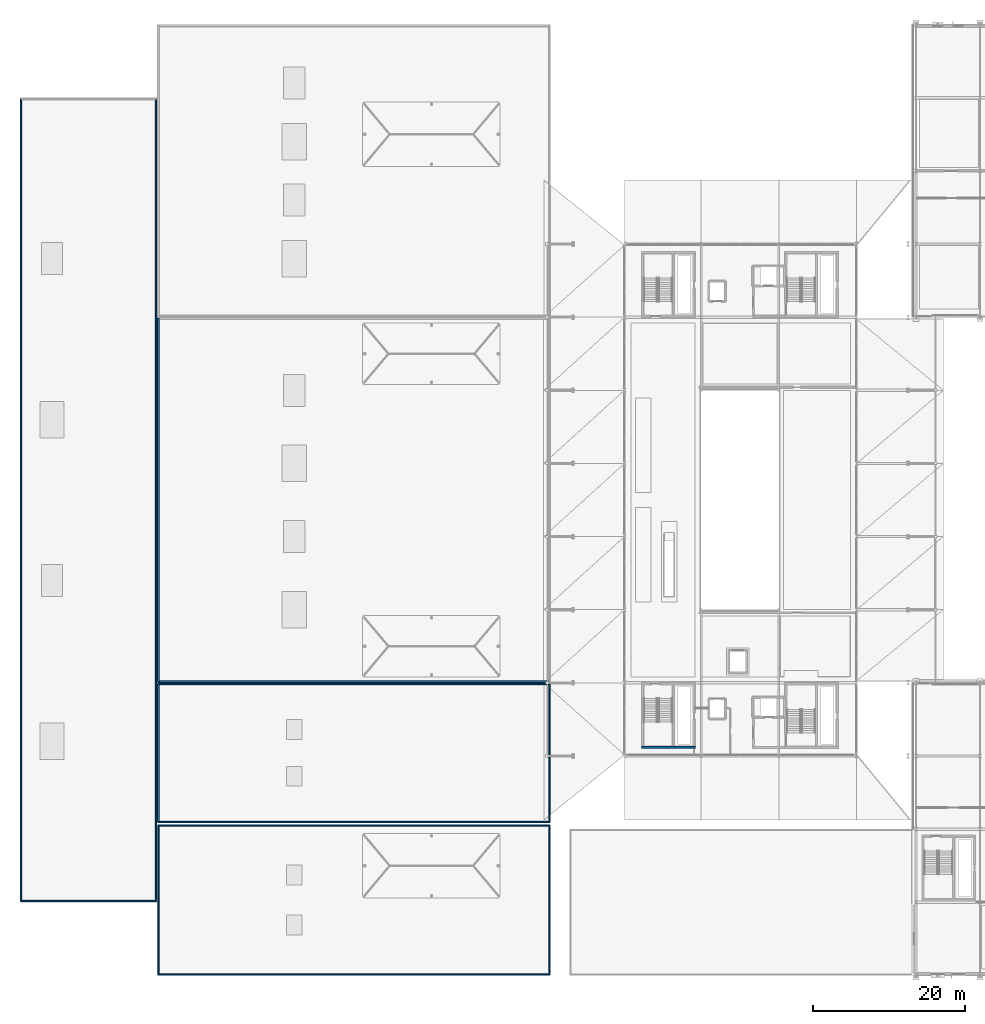
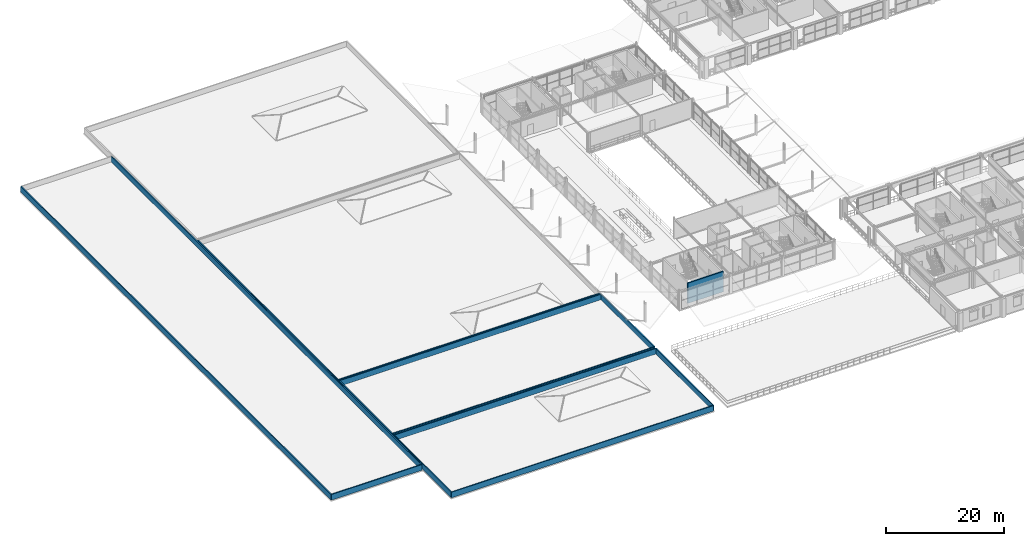
# One storey, part 44 of 81: 14 walls.
"""IFC4 building model written with IfcOpenShell, lengths in metres."""

from ifc_helpers import new_model, si_unit, direction, frame, frame_2d, origin, place, context, subcontext, project, spatial, rectangle, extrude, material, layer, layer_set, type_object, element, save


model = new_model("IFC4")

# Units and contexts
model_context = context("Model", 3, precision=1e-05, world=origin(), true_north=direction((0.0, 1.0)))
body_context = subcontext(model_context, "Body", "Model", "MODEL_VIEW")
ifc_project = project(units=[si_unit("LENGTHUNIT", "METRE"), si_unit("AREAUNIT", "SQUARE_METRE"), si_unit("VOLUMEUNIT", "CUBIC_METRE"), si_unit("PLANEANGLEUNIT", "RADIAN"), si_unit("MASSUNIT", "GRAM", prefix="KILO")], contexts=[model_context])

# Site, building, storey
site_placement = place(None, origin())
site = spatial("IfcSite", under=ifc_project, at=site_placement, CompositionType="ELEMENT")
building_placement = place(site_placement, origin())
building = spatial("IfcBuilding", under=site, at=building_placement, Name="Myrtia Square Station", CompositionType="ELEMENT")
storey_placement = place(building_placement, frame((0.0, 0.0, 10.800048828125)))
storey = spatial("IfcBuildingStorey", under=building, at=storey_placement, Name="L02", CompositionType="ELEMENT", Elevation=10.800048828125)

# Walls
ifc_material_1 = material(Name="Concrete C35/45", Category="concrete")
ifc_layer_1 = layer(ifc_material_1, 0.25, Name="Concrete C35/45")
ifc_layer_set_1 = layer_set([ifc_layer_1], Name="Concrete C35/45")
wall_type_1 = type_object("IfcWallType", Name="WL-CORE-250", PredefinedType="SHEAR", material=ifc_layer_set_1)
wall_1_placement = place(storey_placement, frame((81.60009765625, 29.925048828125, 0.0), z_axis=(0.0, 0.0, 1.0), x_axis=(1.0, 0.0, 0.0)))
element("IfcWall", 1, at=wall_1_placement, inside=storey, type_object=wall_type_1, Name="Core K1 shear wall L02 S", PredefinedType="SHEAR", context=body_context, shape_type="SweptSolid", body=[
    extrude(rectangle(XDim=7.0, YDim=0.25, at=frame_2d((3.5, 0.0))), origin(), (0.0, 0.0, 1.0), 4.199951171875),
])
ifc_material_2 = material(Name="Precast concrete C40/50", Category="concrete")
ifc_layer_2 = layer(ifc_material_2, 0.18994140625, Name="Precast concrete C40/50")
ifc_layer_set_2 = layer_set([ifc_layer_2], Name="Precast concrete C40/50")
wall_type_2 = type_object("IfcWallType", Name="WL-PAR-RC-190", PredefinedType="PARAPET", material=ifc_layer_set_2)
wall_2_placement = place(storey_placement, frame((18.14990234375, 0.14990234375, 0.0), z_axis=(0.0, 0.0, 1.0), x_axis=(1.0, 0.0, 0.0)))
element("IfcWall", 2, at=wall_2_placement, inside=storey, type_object=wall_type_2, Name="Spanish Mission roof parapet 017", PredefinedType="PARAPET", context=body_context, shape_type="SweptSolid", body=[
    extrude(rectangle(XDim=51.35009765625, YDim=0.18994140625, at=frame_2d((25.675048828125, 0.0))), origin(), (0.0, 0.0, 1.0), 1.14990234375),
])
wall_3_placement = place(storey_placement, frame((69.5, 0.14990234375, 0.0), z_axis=(0.0, 0.0, 1.0), x_axis=(0.0, 1.0, 0.0)))
element("IfcWall", 3, at=wall_3_placement, inside=storey, type_object=wall_type_2, Name="Spanish Mission roof parapet 018", PredefinedType="PARAPET", context=body_context, shape_type="SweptSolid", body=[
    extrude(rectangle(XDim=19.5, YDim=0.18994140625, at=frame_2d((9.75, 0.0))), origin(), (0.0, 0.0, 1.0), 1.14990234375),
])
wall_4_placement = place(storey_placement, frame((69.5, 19.64990234375, 0.0), z_axis=(0.0, 0.0, 1.0), x_axis=(-1.0, 0.0, 0.0)))
element("IfcWall", 4, at=wall_4_placement, inside=storey, type_object=wall_type_2, Name="Spanish Mission roof parapet 019", PredefinedType="PARAPET", context=body_context, shape_type="SweptSolid", body=[
    extrude(rectangle(XDim=51.35009765625, YDim=0.18994140625, at=frame_2d((25.675048828125, 0.0))), origin(), (0.0, 0.0, 1.0), 1.14990234375),
])
wall_5_placement = place(storey_placement, frame((18.14990234375, 19.64990234375, 0.0), z_axis=(0.0, 0.0, 1.0), x_axis=(0.0, -1.0, 0.0)))
element("IfcWall", 5, at=wall_5_placement, inside=storey, type_object=wall_type_2, Name="Spanish Mission roof parapet 020", PredefinedType="PARAPET", context=body_context, shape_type="SweptSolid", body=[
    extrude(rectangle(XDim=19.5, YDim=0.18994140625, at=frame_2d((9.75, 0.0))), origin(), (0.0, 0.0, 1.0), 1.14990234375),
])
ifc_material_3 = material(Name="Cream lime stucco on clay brick masonry", Category="masonry")
ifc_layer_3 = layer(ifc_material_3, 0.2099609375, Name="Cream lime stucco on clay brick masonry")
ifc_layer_set_3 = layer_set([ifc_layer_3], Name="Cream lime stucco on clay brick masonry")
wall_type_3 = type_object("IfcWallType", Name="WL-PAR-STUCCO-210", PredefinedType="PARAPET", material=ifc_layer_set_3)
wall_6_placement = place(storey_placement, frame((0.14990234375, 9.75, 0.0), z_axis=(0.0, 0.0, 1.0), x_axis=(1.0, 0.0, 0.0)))
element("IfcWall", 6, at=wall_6_placement, inside=storey, type_object=wall_type_3, Name="Spanish Mission roof parapet 009", PredefinedType="PARAPET", context=body_context, shape_type="SweptSolid", body=[
    extrude(rectangle(XDim=17.7001953125, YDim=0.2099609375, at=frame_2d((8.85009765625, 0.0))), origin(), (0.0, 0.0, 1.0), 1.14990234375),
])
for number, where, z_axis, x_axis, name in (
    (7, (17.85009765625, 9.75, 0.0), (0.0, 0.0, 1.0), (0.0, 1.0, 0.0), "Spanish Mission roof parapet 010"),
    (8, (0.14990234375, 115.050048828125, 0.0), (0.0, 0.0, 1.0), (0.0, -1.0, 0.0), "Spanish Mission roof parapet 012"),
):
    element("IfcWall", number, at=place(storey_placement, frame(where, z_axis=z_axis, x_axis=x_axis)), inside=storey, type_object=wall_type_3, Name=name, PredefinedType="PARAPET", context=body_context, shape_type="SweptSolid", body=[
        extrude(rectangle(XDim=105.300048828125, YDim=0.2099609375, at=frame_2d((52.64990234375, 0.0))), origin(), (0.0, 0.0, 1.0), 1.14990234375),
    ])
wall_7_placement = place(storey_placement, frame((18.14990234375, 38.550048828125, 0.0), z_axis=(0.0, 0.0, 1.0), x_axis=(1.0, 0.0, 0.0)))
element("IfcWall", 9, at=wall_7_placement, inside=storey, type_object=wall_type_3, Name="Spanish Mission roof parapet 021", PredefinedType="PARAPET", context=body_context, shape_type="SweptSolid", body=[
    extrude(rectangle(XDim=51.35009765625, YDim=0.2099609375, at=frame_2d((25.675048828125, 0.0))), origin(), (0.0, 0.0, 1.0), 1.14990234375),
])
wall_8_placement = place(storey_placement, frame((18.14990234375, 86.25, 0.0), z_axis=(0.0, 0.0, 1.0), x_axis=(0.0, -1.0, 0.0)))
element("IfcWall", 10, at=wall_8_placement, inside=storey, type_object=wall_type_3, Name="Spanish Mission roof parapet 024", PredefinedType="PARAPET", context=body_context, shape_type="SweptSolid", body=[
    extrude(rectangle(XDim=47.699951171875, YDim=0.2099609375, at=frame_2d((23.85009765625, 0.0))), origin(), (0.0, 0.0, 1.0), 1.14990234375),
])
ifc_layer_4 = layer(ifc_material_3, 0.22998046875, Name="Cream lime stucco on clay brick masonry")
ifc_layer_set_4 = layer_set([ifc_layer_4], Name="Cream lime stucco on clay brick masonry")
wall_type_4 = type_object("IfcWallType", Name="WL-PAR-STUCCO-230", PredefinedType="PARAPET", material=ifc_layer_set_4)
wall_9_placement = place(storey_placement, frame((18.14990234375, 20.14990234375, 0.0), z_axis=(0.0, 0.0, 1.0), x_axis=(1.0, 0.0, 0.0)))
element("IfcWall", 11, at=wall_9_placement, inside=storey, type_object=wall_type_4, Name="Spanish Mission roof parapet 013", PredefinedType="PARAPET", context=body_context, shape_type="SweptSolid", body=[
    extrude(rectangle(XDim=51.35009765625, YDim=0.22998046875, at=frame_2d((25.675048828125, 0.0))), origin(), (0.0, 0.0, 1.0), 1.14990234375),
])
wall_10_placement = place(storey_placement, frame((69.5, 20.14990234375, 0.0), z_axis=(0.0, 0.0, 1.0), x_axis=(0.0, 1.0, 0.0)))
element("IfcWall", 12, at=wall_10_placement, inside=storey, type_object=wall_type_4, Name="Spanish Mission roof parapet 014", PredefinedType="PARAPET", context=body_context, shape_type="SweptSolid", body=[
    extrude(rectangle(XDim=18.10009765625, YDim=0.22998046875, at=frame_2d((9.050048828125, 0.0))), origin(), (0.0, 0.0, 1.0), 1.14990234375),
])
wall_11_placement = place(storey_placement, frame((69.5, 38.25, 0.0), z_axis=(0.0, 0.0, 1.0), x_axis=(-1.0, 0.0, 0.0)))
element("IfcWall", 13, at=wall_11_placement, inside=storey, type_object=wall_type_4, Name="Spanish Mission roof parapet 015", PredefinedType="PARAPET", context=body_context, shape_type="SweptSolid", body=[
    extrude(rectangle(XDim=51.35009765625, YDim=0.22998046875, at=frame_2d((25.675048828125, 0.0))), origin(), (0.0, 0.0, 1.0), 1.14990234375),
])
wall_12_placement = place(storey_placement, frame((18.14990234375, 38.25, 0.0), z_axis=(0.0, 0.0, 1.0), x_axis=(0.0, -1.0, 0.0)))
element("IfcWall", 14, at=wall_12_placement, inside=storey, type_object=wall_type_4, Name="Spanish Mission roof parapet 016", PredefinedType="PARAPET", context=body_context, shape_type="SweptSolid", body=[
    extrude(rectangle(XDim=18.10009765625, YDim=0.22998046875, at=frame_2d((9.050048828125, 0.0))), origin(), (0.0, 0.0, 1.0), 1.14990234375),
])

save(model, "model.ifc")
